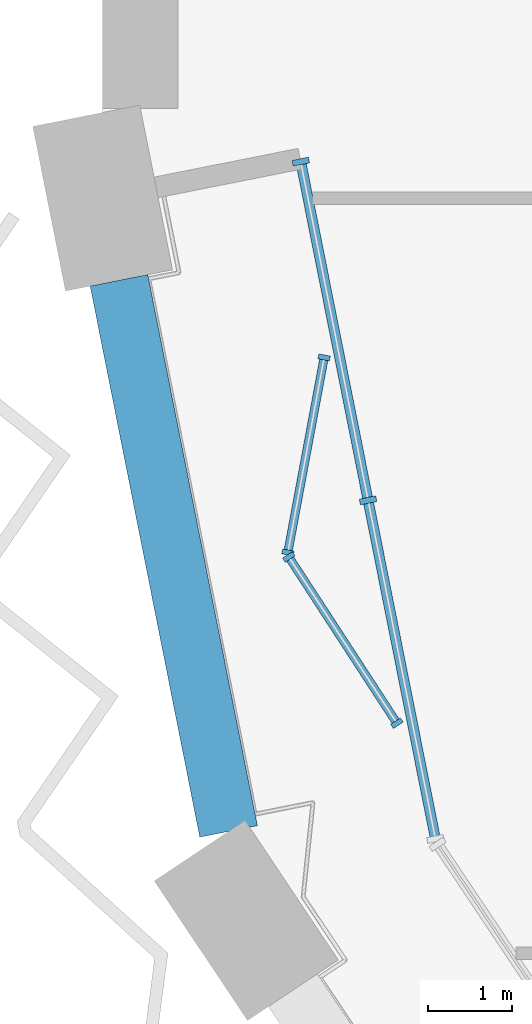
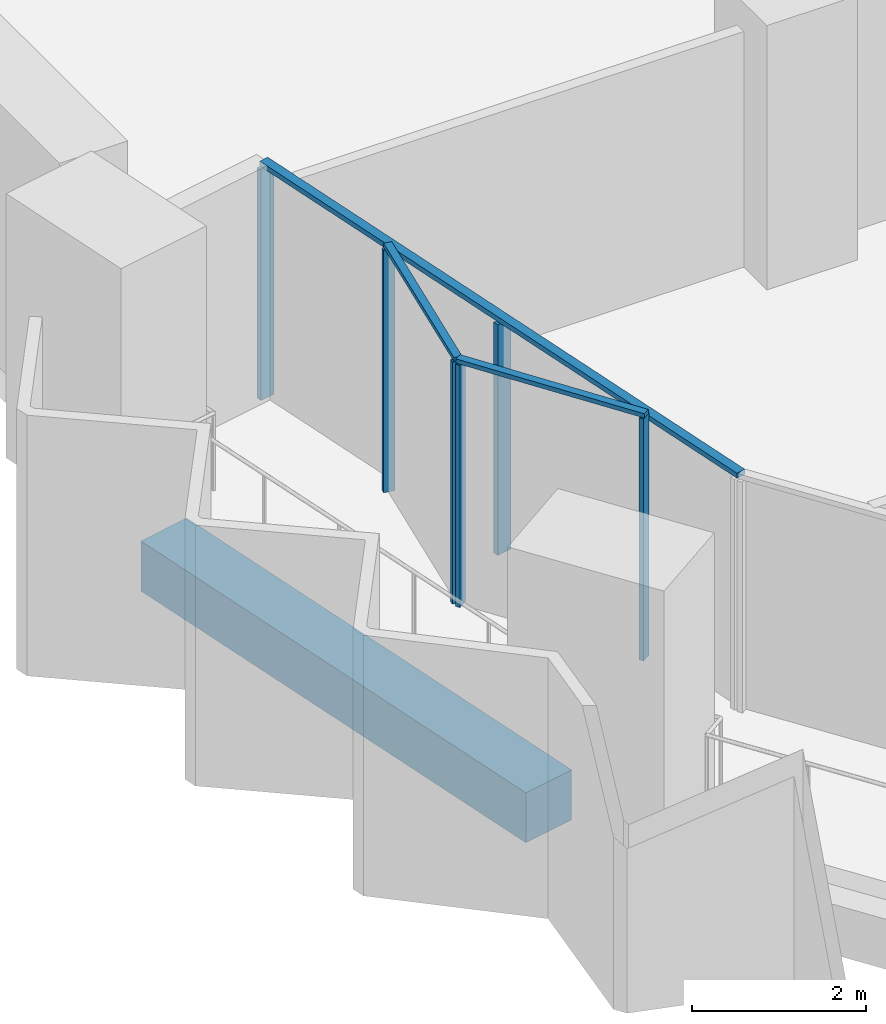
# One storey, part 3 of 23: 9 members, 1 beam, 3 elements without a shape of their own.
"""IFC4 building model written with IfcOpenShell, lengths in metres."""

from ifc_helpers import new_model, si_unit, direction, frame, origin, origin_2d, place, context, subcontext, project, spatial, rectangle, extrude, material, material_profile, profile_set, type_object, element, aggregate, save


model = new_model("IFC4")

# Units and contexts
model_context = context("Model", 3, precision=1e-05, world=origin(), true_north=direction((0.0, 1.0)))
body_context = subcontext(model_context, "Body", "Model", "MODEL_VIEW")
ifc_project = project(units=[si_unit("LENGTHUNIT", "METRE"), si_unit("AREAUNIT", "SQUARE_METRE"), si_unit("VOLUMEUNIT", "CUBIC_METRE"), si_unit("PLANEANGLEUNIT", "RADIAN"), si_unit("MASSUNIT", "GRAM", prefix="KILO")], contexts=[model_context])

# Site, building, storey
site_placement = place(None, origin())
site = spatial("IfcSite", under=ifc_project, at=site_placement, CompositionType="ELEMENT")
building_placement = place(site_placement, origin())
building = spatial("IfcBuilding", under=site, at=building_placement, Name="Hunhe Ridgeline Campus", CompositionType="ELEMENT")
storey_placement = place(building_placement, frame((0.0, 0.0, 170.800048828125)))
storey = spatial("IfcBuildingStorey", under=building, at=storey_placement, Name="L43", CompositionType="ELEMENT", Elevation=170.800048828125)

# Curtain wall, members
ifc_material_1 = material(Name="Aluminium 6063", Category="aluminium")
curtain_wall_type_1 = type_object("IfcCurtainWallType", Name="Curtain wall CW-2", PredefinedType="NOTDEFINED", material=ifc_material_1)
curtain_wall_1_placement = place(storey_placement, origin())
curtain_wall_1 = element("IfcCurtainWall", 1, at=curtain_wall_1_placement, inside=storey, type_object=curtain_wall_type_1, Name="Curtain wall B01a", PredefinedType="NOTDEFINED")
ifc_material_profile_1 = material_profile(ifc_material_1, rectangle(XDim=0.139892578125, YDim=0.06005859375, at=origin_2d()))
ifc_profile_set_1 = profile_set([ifc_material_profile_1], Name="Aluminium 6063")
member_type_1 = type_object("IfcMemberType", Name="CW-2 aluminium mullion", PredefinedType="MULLION", material=ifc_profile_set_1)
member_1_placement = place(storey_placement, frame((2.64111328125, 25.100341796875, 0.0), z_axis=(0.0, 0.0, 1.0), x_axis=(0.983091954213, -0.183112559813, 0.0)))
member_1 = element("IfcMember", 2, at=member_1_placement, type_object=member_type_1, Name="CW-2 mullion 1", PredefinedType="MULLION", context=body_context, shape_type="SweptSolid", body=[
    extrude(rectangle(XDim=0.139892578125, YDim=0.06005859375, at=origin_2d()), origin(), (0.0, 0.0, 1.0), 3.389892578125),
])
member_2_placement = place(storey_placement, frame((2.20849609375, 22.77685546875, 0.0), z_axis=(0.0, 0.0, 1.0), x_axis=(0.983091954213, -0.183112559813, 0.0)))
member_2 = element("IfcMember", 3, at=member_2_placement, type_object=member_type_1, Name="CW-2 mullion 2", PredefinedType="MULLION", context=body_context, shape_type="SweptSolid", body=[
    extrude(rectangle(XDim=0.139892578125, YDim=0.06005859375, at=origin_2d()), origin(), (0.0, 0.0, 1.0), 3.389892578125),
])

curtain_wall_2_placement = place(storey_placement, origin())
curtain_wall_2 = element("IfcCurtainWall", 4, at=curtain_wall_2_placement, inside=storey, type_object=curtain_wall_type_1, Name="Curtain wall B01b", PredefinedType="NOTDEFINED")
member_3_placement = place(storey_placement, frame((2.21923828125, 22.722412109375, 0.0), z_axis=(0.0, 0.0, 1.0), x_axis=(0.838178845176, 0.545395474403, 0.0)))
member_3 = element("IfcMember", 5, at=member_3_placement, type_object=member_type_1, Name="CW-2 mullion 1", PredefinedType="MULLION", context=body_context, shape_type="SweptSolid", body=[
    extrude(rectangle(XDim=0.139892578125, YDim=0.06005859375, at=origin_2d()), origin(), (0.0, 0.0, 1.0), 3.389892578125),
])
member_4_placement = place(storey_placement, frame((3.50830078125, 20.741455078125, 0.0), z_axis=(0.0, 0.0, 1.0), x_axis=(0.838178845176, 0.545395474403, 0.0)))
member_4 = element("IfcMember", 6, at=member_4_placement, type_object=member_type_1, Name="CW-2 mullion 2", PredefinedType="MULLION", context=body_context, shape_type="SweptSolid", body=[
    extrude(rectangle(XDim=0.139892578125, YDim=0.06005859375, at=origin_2d()), origin(), (0.0, 0.0, 1.0), 3.389892578125),
])

# Member
ifc_material_profile_2 = material_profile(ifc_material_1, rectangle(XDim=0.10009765625, YDim=0.06005859375, at=origin_2d()))
ifc_profile_set_2 = profile_set([ifc_material_profile_2], Name="Aluminium 6063")
member_type_2 = type_object("IfcMemberType", Name="CW-2 aluminium transom", PredefinedType="USERDEFINED", material=ifc_profile_set_2)
member_5_placement = place(storey_placement, frame((2.646728515625, 25.1298828125, 3.419921875), z_axis=(-0.183157011524, -0.983083673514, 0.0), x_axis=(0.983083673514, -0.183157011524, 0.0)))
member_5 = element("IfcMember", 7, at=member_5_placement, type_object=member_type_2, Name="CW-2 transom 1", ObjectType="TRANSOM", PredefinedType="USERDEFINED", context=body_context, shape_type="SweptSolid", body=[
    extrude(rectangle(XDim=0.10009765625, YDim=0.06005859375, at=origin_2d()), origin(), (0.0, 0.0, 1.0), 2.42333984375),
])

aggregate(curtain_wall_1, [member_5, member_1, member_2])

member_6_placement = place(storey_placement, frame((2.202880859375, 22.74755859375, 3.419921875), z_axis=(0.54541319982, -0.838167311139, 0.0), x_axis=(0.838167311139, 0.54541319982, 0.0)))
member_6 = element("IfcMember", 8, at=member_6_placement, type_object=member_type_2, Name="CW-2 transom 1", ObjectType="TRANSOM", PredefinedType="USERDEFINED", context=body_context, shape_type="SweptSolid", body=[
    extrude(rectangle(XDim=0.10009765625, YDim=0.06005859375, at=origin_2d()), origin(), (0.0, 0.0, 1.0), 2.42333984375),
])

aggregate(curtain_wall_2, [member_6, member_3, member_4])

# Curtain wall, members
curtain_wall_type_2 = type_object("IfcCurtainWallType", Name="Curtain wall CW-5", PredefinedType="NOTDEFINED", material=ifc_material_1)
curtain_wall_3_placement = place(storey_placement, origin())
curtain_wall_3 = element("IfcCurtainWall", 9, at=curtain_wall_3_placement, inside=storey, type_object=curtain_wall_type_2, Name="Curtain wall 01", PredefinedType="NOTDEFINED")
ifc_material_profile_3 = material_profile(ifc_material_1, rectangle(XDim=0.199951171875, YDim=0.070068359375, at=origin_2d()))
ifc_profile_set_3 = profile_set([ifc_material_profile_3], Name="Aluminium 6063")
member_type_3 = type_object("IfcMemberType", Name="CW-5 aluminium mullion", PredefinedType="MULLION", material=ifc_profile_set_3)
member_7_placement = place(storey_placement, frame((2.361572265625, 27.434326171875, 0.0), z_axis=(0.0, 0.0, 1.0), x_axis=(0.980784280831, 0.195095347137, 0.0)))
member_7 = element("IfcMember", 10, at=member_7_placement, type_object=member_type_3, Name="CW-5 mullion 1", PredefinedType="MULLION", context=body_context, shape_type="SweptSolid", body=[
    extrude(rectangle(XDim=0.199951171875, YDim=0.070068359375, at=origin_2d()), origin(), (0.0, 0.0, 1.0), 3.22998046875),
])
member_8_placement = place(storey_placement, frame((3.16455078125, 23.3974609375, 0.0), z_axis=(0.0, 0.0, 1.0), x_axis=(0.980784280831, 0.195095347137, 0.0)))
member_8 = element("IfcMember", 11, at=member_8_placement, type_object=member_type_3, Name="CW-5 mullion 2", PredefinedType="MULLION", context=body_context, shape_type="SweptSolid", body=[
    extrude(rectangle(XDim=0.199951171875, YDim=0.070068359375, at=origin_2d()), origin(), (0.0, 0.0, 1.0), 3.22998046875),
])
ifc_material_profile_4 = material_profile(ifc_material_1, rectangle(XDim=0.1201171875, YDim=0.070068359375, at=origin_2d()))
ifc_profile_set_4 = profile_set([ifc_material_profile_4], Name="Aluminium 6063")
member_type_4 = type_object("IfcMemberType", Name="CW-5 aluminium transom", PredefinedType="USERDEFINED", material=ifc_profile_set_4)
member_9_placement = place(storey_placement, frame((2.354736328125, 27.46875, 3.264892578125), z_axis=(0.195092405068, -0.980784866056, 0.0), x_axis=(0.980784866056, 0.195092405068, 0.0)))
member_9 = element("IfcMember", 12, at=member_9_placement, type_object=member_type_4, Name="CW-5 transom 1", ObjectType="TRANSOM", PredefinedType="USERDEFINED", context=body_context, shape_type="SweptSolid", body=[
    extrude(rectangle(XDim=0.1201171875, YDim=0.070068359375, at=origin_2d()), origin(), (0.0, 0.0, 1.0), 8.3017578125),
])
aggregate(curtain_wall_3, [member_9, member_7, member_8])

# Beam
ifc_material_2 = material(Name="Concrete C60", Category="concrete")
ifc_material_profile_5 = material_profile(ifc_material_2, rectangle(XDim=0.699951171875, YDim=0.699951171875, at=origin_2d()))
ifc_profile_set_5 = profile_set([ifc_material_profile_5], Name="Concrete C60")
beam_type = type_object("IfcBeamType", Name="RC spandrel beam 700x700 Concrete C60", PredefinedType="SPANDREL", material=ifc_profile_set_5)
beam_placement = place(storey_placement, frame((0.195068359375, 26.019287109375, -0.60009765625), z_axis=(0.195078418929, -0.980787647999, 0.0), x_axis=(0.980787647999, 0.195078418929, 0.0)))
element("IfcBeam", 13, at=beam_placement, inside=storey, type_object=beam_type, Name="Spandrel beam B2-1 L43", PredefinedType="SPANDREL", context=body_context, shape_type="SweptSolid", body=[
    extrude(rectangle(XDim=0.699951171875, YDim=0.699951171875, at=origin_2d()), origin(), (0.0, 0.0, 1.0), 6.69677734375),
])

save(model, "model.ifc")
